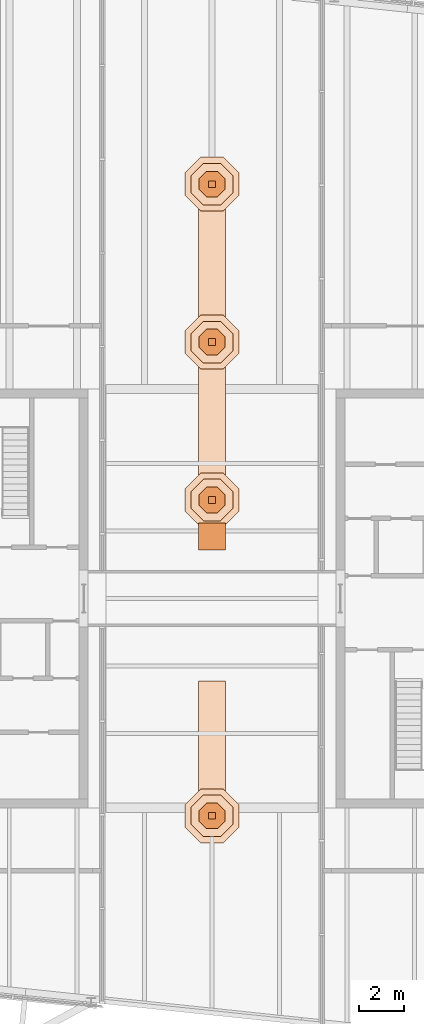
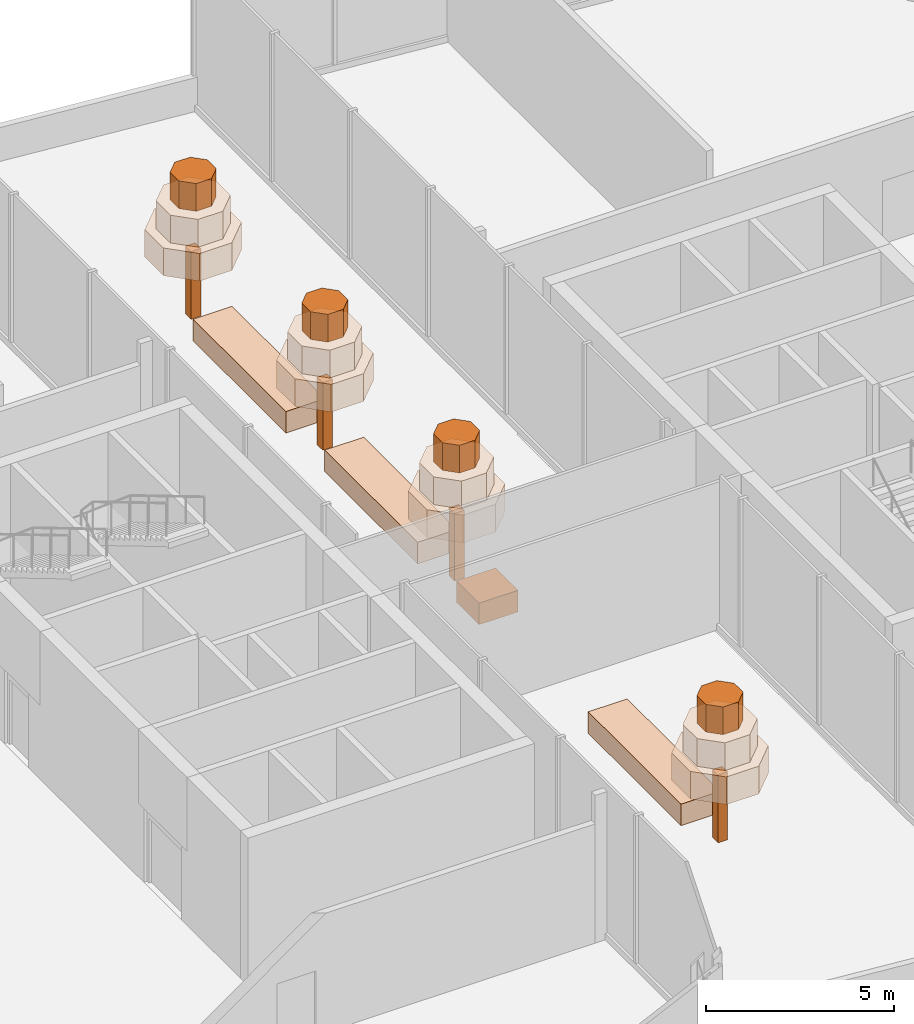
# One storey, part 14 of 14: 20 geographic elements.
"""IFC4 building model written with IfcOpenShell, lengths in metres."""

from ifc_helpers import new_model, si_unit, direction, frame, origin, origin_2d, place, context, subcontext, project, spatial, polyline, rectangle, outline, extrude, material, type_object, element, save


model = new_model("IFC4")

# Units and contexts
model_context = context("Model", 3, precision=1e-05, world=origin(), true_north=direction((0.0, 1.0)))
body_context = subcontext(model_context, "Body", "Model", "MODEL_VIEW")
ifc_project = project(units=[si_unit("LENGTHUNIT", "METRE"), si_unit("AREAUNIT", "SQUARE_METRE"), si_unit("VOLUMEUNIT", "CUBIC_METRE"), si_unit("PLANEANGLEUNIT", "RADIAN"), si_unit("MASSUNIT", "GRAM", prefix="KILO")], contexts=[model_context])

# Site, building, storey
site_placement = place(None, origin())
site = spatial("IfcSite", under=ifc_project, at=site_placement, CompositionType="ELEMENT")
building_placement = place(site_placement, origin())
building = spatial("IfcBuilding", under=site, at=building_placement, Name="Millrace Tower", CompositionType="ELEMENT")
storey_placement = place(building_placement, frame((0.0, 0.0, 342.10009765625)))
storey = spatial("IfcBuildingStorey", under=building, at=storey_placement, Name="L79", CompositionType="ELEMENT", Elevation=342.10009765625)

# Geographic elements
ifc_material_1 = material(Name="Planting shrub bed")
geographic_element_type_1 = type_object("IfcGeographicElementType", Name="Shrub bed", PredefinedType="USERDEFINED", material=ifc_material_1)
geographic_element_1_placement = place(storey_placement, frame((0.0, -6.1474609375, 0.0), z_axis=(0.0, 0.0, 1.0), x_axis=(0.0, 1.0, 0.0)))
element("IfcGeographicElement", 1, at=geographic_element_1_placement, inside=storey, type_object=geographic_element_type_1, Name="Shrub bed SLOT-0", ObjectType="SHRUB", PredefinedType="USERDEFINED", context=body_context, shape_type="SweptSolid", body=[
    extrude(rectangle(XDim=4.949951171875, YDim=1.199951171875, at=origin_2d()), origin(), (0.0, 0.0, 1.0), 0.699951171875),
])
geographic_element_2_placement = place(storey_placement, frame((0.0, 2.739990234375, 0.0), z_axis=(0.0, 0.0, 1.0), x_axis=(0.0, 1.0, 0.0)))
element("IfcGeographicElement", 2, at=geographic_element_2_placement, inside=storey, type_object=geographic_element_type_1, Name="Shrub bed SLOT-1a", ObjectType="SHRUB", PredefinedType="USERDEFINED", context=body_context, shape_type="SweptSolid", body=[
    extrude(rectangle(XDim=1.19970703125, YDim=1.199951171875, at=origin_2d()), origin(), (0.0, 0.0, 1.0), 0.699951171875),
])
for number, where, z_axis, x_axis, name in (
    (3, (0.0, 7.877197265625, 0.0), (0.0, 0.0, 1.0), (0.0, 1.0, 0.0), "Shrub bed SLOT-2"),
    (4, (0.0, 14.889404296875, 0.0), (0.0, 0.0, 1.0), (0.0, 1.0, 0.0), "Shrub bed SLOT-3"),
):
    element("IfcGeographicElement", number, at=place(storey_placement, frame(where, z_axis=z_axis, x_axis=x_axis)), inside=storey, type_object=geographic_element_type_1, Name=name, ObjectType="SHRUB", PredefinedType="USERDEFINED", context=body_context, shape_type="SweptSolid", body=[
        extrude(rectangle(XDim=4.949951171875, YDim=1.199951171875, at=origin_2d()), origin(), (0.0, 0.0, 1.0), 0.699951171875),
    ])
ifc_material_2 = material(Name="Planting tree crown")
geographic_element_type_2 = type_object("IfcGeographicElementType", Name="Tree crown", PredefinedType="USERDEFINED", material=ifc_material_2)
placement_1 = place(storey_placement, frame((0.0, 0.0, 2.0)))
element("IfcGeographicElement", 5, at=placement_1, inside=storey, type_object=geographic_element_type_2, Name="Tree crown SLOT-0 tier 1", ObjectType="TREE", PredefinedType="USERDEFINED", context=body_context, shape_type="SweptSolid", body=[
    extrude(outline(polyline([(1.200927734375, -9.156005859375), (0.49755859375, -8.452392578125), (-0.49755859375, -8.452392578125), (-1.200927734375, -9.156005859375), (-1.200927734375, -10.15087890625), (-0.49755859375, -10.8544921875), (0.49755859375, -10.8544921875), (1.200927734375, -10.15087890625), (1.200927734375, -9.156005859375)])), origin(), (0.0, 0.0, 1.0), 0.89990234375),
])
placement_2 = place(storey_placement, frame((0.0, 0.0, 2.89990234375)))
element("IfcGeographicElement", 6, at=placement_2, inside=storey, type_object=geographic_element_type_2, Name="Tree crown SLOT-0 tier 2", ObjectType="TREE", PredefinedType="USERDEFINED", context=body_context, shape_type="SweptSolid", body=[
    extrude(outline(polyline([(0.923828125, -9.270751953125), (0.3828125, -8.7294921875), (-0.3828125, -8.7294921875), (-0.923828125, -9.270751953125), (-0.923828125, -10.0361328125), (-0.3828125, -10.577392578125), (0.3828125, -10.577392578125), (0.923828125, -10.0361328125), (0.923828125, -9.270751953125)])), origin(), (0.0, 0.0, 1.0), 0.89990234375),
])
placement_3 = place(storey_placement, frame((0.0, 0.0, 3.7998046875)))
element("IfcGeographicElement", 7, at=placement_3, inside=storey, type_object=geographic_element_type_2, Name="Tree crown SLOT-0 tier 3", ObjectType="TREE", PredefinedType="USERDEFINED", context=body_context, shape_type="SweptSolid", body=[
    extrude(outline(polyline([(0.57275390625, -9.416259765625), (0.2373046875, -9.080810546875), (-0.2373046875, -9.080810546875), (-0.57275390625, -9.416259765625), (-0.57275390625, -9.890869140625), (-0.2373046875, -10.226318359375), (0.2373046875, -10.226318359375), (0.57275390625, -9.890869140625), (0.57275390625, -9.416259765625)])), origin(), (0.0, 0.0, 1.0), 0.900146484375),
])
element("IfcGeographicElement", 8, at=placement_1, inside=storey, type_object=geographic_element_type_2, Name="Tree crown SLOT-2 tier 1", ObjectType="TREE", PredefinedType="USERDEFINED", context=body_context, shape_type="SweptSolid", body=[
    extrude(outline(polyline([(1.200927734375, 4.868408203125), (0.49755859375, 5.572021484375), (-0.49755859375, 5.572021484375), (-1.200927734375, 4.868408203125), (-1.200927734375, 3.87353515625), (-0.49755859375, 3.169921875), (0.49755859375, 3.169921875), (1.200927734375, 3.87353515625), (1.200927734375, 4.868408203125)])), origin(), (0.0, 0.0, 1.0), 0.89990234375),
])
element("IfcGeographicElement", 9, at=placement_2, inside=storey, type_object=geographic_element_type_2, Name="Tree crown SLOT-2 tier 2", ObjectType="TREE", PredefinedType="USERDEFINED", context=body_context, shape_type="SweptSolid", body=[
    extrude(outline(polyline([(0.923828125, 4.753662109375), (0.3828125, 5.294921875), (-0.3828125, 5.294921875), (-0.923828125, 4.753662109375), (-0.923828125, 3.98828125), (-0.3828125, 3.447021484375), (0.3828125, 3.447021484375), (0.923828125, 3.98828125), (0.923828125, 4.753662109375)])), origin(), (0.0, 0.0, 1.0), 0.89990234375),
])
element("IfcGeographicElement", 10, at=placement_3, inside=storey, type_object=geographic_element_type_2, Name="Tree crown SLOT-2 tier 3", ObjectType="TREE", PredefinedType="USERDEFINED", context=body_context, shape_type="SweptSolid", body=[
    extrude(outline(polyline([(0.57275390625, 4.6083984375), (0.2373046875, 4.94384765625), (-0.2373046875, 4.94384765625), (-0.57275390625, 4.6083984375), (-0.57275390625, 4.1337890625), (-0.2373046875, 3.798095703125), (0.2373046875, 3.798095703125), (0.57275390625, 4.1337890625), (0.57275390625, 4.6083984375)])), origin(), (0.0, 0.0, 1.0), 0.900146484375),
])
element("IfcGeographicElement", 11, at=placement_1, inside=storey, type_object=geographic_element_type_2, Name="Tree crown SLOT-3 tier 1", ObjectType="TREE", PredefinedType="USERDEFINED", context=body_context, shape_type="SweptSolid", body=[
    extrude(outline(polyline([(1.200927734375, 11.880859375), (0.49755859375, 12.584228515625), (-0.49755859375, 12.584228515625), (-1.200927734375, 11.880859375), (-1.200927734375, 10.8857421875), (-0.49755859375, 10.18212890625), (0.49755859375, 10.18212890625), (1.200927734375, 10.8857421875), (1.200927734375, 11.880859375)])), origin(), (0.0, 0.0, 1.0), 0.89990234375),
])
element("IfcGeographicElement", 12, at=placement_2, inside=storey, type_object=geographic_element_type_2, Name="Tree crown SLOT-3 tier 2", ObjectType="TREE", PredefinedType="USERDEFINED", context=body_context, shape_type="SweptSolid", body=[
    extrude(outline(polyline([(0.923828125, 11.76611328125), (0.3828125, 12.30712890625), (-0.3828125, 12.30712890625), (-0.923828125, 11.76611328125), (-0.923828125, 11.00048828125), (-0.3828125, 10.45947265625), (0.3828125, 10.45947265625), (0.923828125, 11.00048828125), (0.923828125, 11.76611328125)])), origin(), (0.0, 0.0, 1.0), 0.89990234375),
])
element("IfcGeographicElement", 13, at=placement_3, inside=storey, type_object=geographic_element_type_2, Name="Tree crown SLOT-3 tier 3", ObjectType="TREE", PredefinedType="USERDEFINED", context=body_context, shape_type="SweptSolid", body=[
    extrude(outline(polyline([(0.57275390625, 11.62060546875), (0.2373046875, 11.9560546875), (-0.2373046875, 11.9560546875), (-0.57275390625, 11.62060546875), (-0.57275390625, 11.14599609375), (-0.2373046875, 10.810546875), (0.2373046875, 10.810546875), (0.57275390625, 11.14599609375), (0.57275390625, 11.62060546875)])), origin(), (0.0, 0.0, 1.0), 0.900146484375),
])
element("IfcGeographicElement", 14, at=placement_1, inside=storey, type_object=geographic_element_type_2, Name="Tree crown SLOT-4 tier 1", ObjectType="TREE", PredefinedType="USERDEFINED", context=body_context, shape_type="SweptSolid", body=[
    extrude(outline(polyline([(1.200927734375, 18.89306640625), (0.49755859375, 19.5966796875), (-0.49755859375, 19.5966796875), (-1.200927734375, 18.89306640625), (-1.200927734375, 17.898193359375), (-0.49755859375, 17.194580078125), (0.49755859375, 17.194580078125), (1.200927734375, 17.898193359375), (1.200927734375, 18.89306640625)])), origin(), (0.0, 0.0, 1.0), 0.89990234375),
])
element("IfcGeographicElement", 15, at=placement_2, inside=storey, type_object=geographic_element_type_2, Name="Tree crown SLOT-4 tier 2", ObjectType="TREE", PredefinedType="USERDEFINED", context=body_context, shape_type="SweptSolid", body=[
    extrude(outline(polyline([(0.923828125, 18.7783203125), (0.3828125, 19.3193359375), (-0.3828125, 19.3193359375), (-0.923828125, 18.7783203125), (-0.923828125, 18.012939453125), (-0.3828125, 17.4716796875), (0.3828125, 17.4716796875), (0.923828125, 18.012939453125), (0.923828125, 18.7783203125)])), origin(), (0.0, 0.0, 1.0), 0.89990234375),
])
element("IfcGeographicElement", 16, at=placement_3, inside=storey, type_object=geographic_element_type_2, Name="Tree crown SLOT-4 tier 3", ObjectType="TREE", PredefinedType="USERDEFINED", context=body_context, shape_type="SweptSolid", body=[
    extrude(outline(polyline([(0.57275390625, 18.6328125), (0.2373046875, 18.968505859375), (-0.2373046875, 18.968505859375), (-0.57275390625, 18.6328125), (-0.57275390625, 18.158203125), (-0.2373046875, 17.82275390625), (0.2373046875, 17.82275390625), (0.57275390625, 18.158203125), (0.57275390625, 18.6328125)])), origin(), (0.0, 0.0, 1.0), 0.900146484375),
])
ifc_material_3 = material(Name="Timber trunk", Category="wood")
geographic_element_type_3 = type_object("IfcGeographicElementType", Name="Tree trunk", PredefinedType="USERDEFINED", material=ifc_material_3)
for number, where, z_axis, x_axis, name in (
    (17, (0.0, -9.653564453125, 0.0), (0.0, 0.0, 1.0), (1.0, 0.0, 0.0), "Tree trunk SLOT-0"),
    (18, (0.0, 4.37109375, 0.0), (0.0, 0.0, 1.0), (1.0, 0.0, 0.0), "Tree trunk SLOT-2"),
    (19, (0.0, 11.38330078125, 0.0), (0.0, 0.0, 1.0), (1.0, 0.0, 0.0), "Tree trunk SLOT-3"),
    (20, (0.0, 18.3955078125, 0.0), (0.0, 0.0, 1.0), (1.0, 0.0, 0.0), "Tree trunk SLOT-4"),
):
    element("IfcGeographicElement", number, at=place(storey_placement, frame(where, z_axis=z_axis, x_axis=x_axis)), inside=storey, type_object=geographic_element_type_3, Name=name, ObjectType="TREE", PredefinedType="USERDEFINED", context=body_context, shape_type="SweptSolid", body=[
        extrude(rectangle(XDim=0.300048828125, YDim=0.300048828125, at=origin_2d()), origin(), (0.0, 0.0, 1.0), 2.199951171875),
    ])

save(model, "model.ifc")
